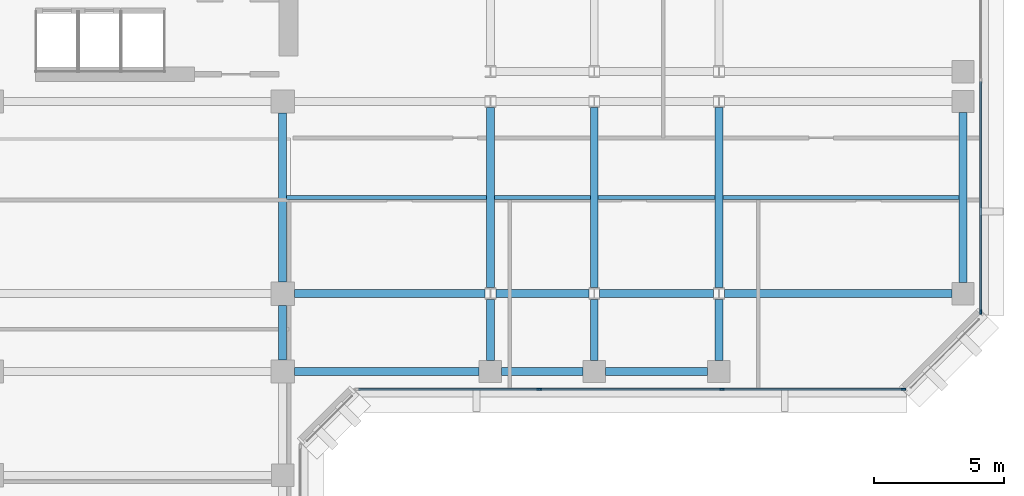
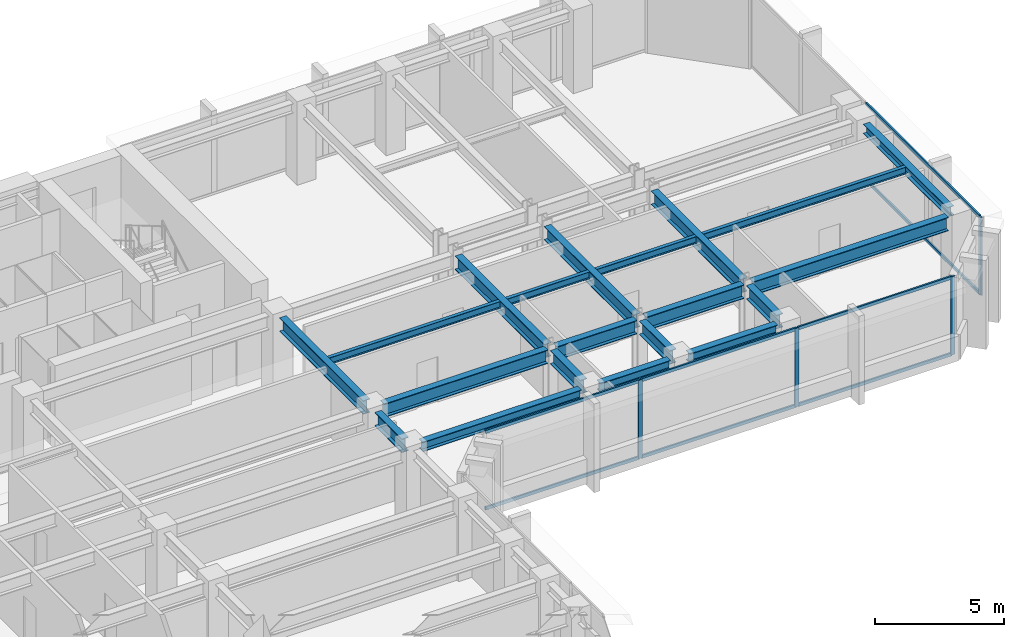
# One storey, part 3 of 11: 20 beams, 12 members, 2 elements without a shape of their own.
"""IFC4 building model written with IfcOpenShell, lengths in metres."""

from ifc_helpers import new_model, si_unit, direction, frame, origin, origin_2d, place, context, subcontext, project, spatial, rectangle, i_section, extrude, material, layer, layer_set, material_profile, profile_set, type_object, element, aggregate, save


model = new_model("IFC4")

# Units and contexts
model_context = context("Model", 3, precision=1e-05, world=origin(), true_north=direction((0.0, 1.0)))
body_context = subcontext(model_context, "Body", "Model", "MODEL_VIEW")
ifc_project = project(units=[si_unit("LENGTHUNIT", "METRE"), si_unit("AREAUNIT", "SQUARE_METRE"), si_unit("VOLUMEUNIT", "CUBIC_METRE"), si_unit("PLANEANGLEUNIT", "RADIAN"), si_unit("MASSUNIT", "GRAM", prefix="KILO")], contexts=[model_context])

# Site, building, storey
site_placement = place(None, origin())
site = spatial("IfcSite", under=ifc_project, at=site_placement, CompositionType="ELEMENT")
building_placement = place(site_placement, origin())
building = spatial("IfcBuilding", under=site, at=building_placement, Name="Kefirva Bronze Tower", CompositionType="ELEMENT")
storey_placement = place(building_placement, frame((0.0, 0.0, 146.85009765625)))
storey = spatial("IfcBuildingStorey", under=building, at=storey_placement, Name="L35", CompositionType="ELEMENT", Elevation=146.85009765625)

# Curtain wall, members
ifc_material_1 = material(Name="Bronze anodised aluminium", Category="aluminium")
ifc_layer = layer(ifc_material_1, 0.199951171875, Name="Bronze anodised aluminium")
ifc_layer_set = layer_set([ifc_layer], Name="Bronze anodised aluminium")
curtain_wall_type = type_object("IfcCurtainWallType", Name="Unitised Bronze Ribbon Curtain Wall Zone 2", PredefinedType="USERDEFINED", material=ifc_layer_set)
curtain_wall_1_placement = place(storey_placement, origin())
curtain_wall_1 = element("IfcCurtainWall", 1, at=curtain_wall_1_placement, inside=storey, type_object=curtain_wall_type, Name="L35 Curtain Wall 2", ObjectType="UNITISED CURTAIN WALL", PredefinedType="USERDEFINED")
ifc_material_profile_1 = material_profile(ifc_material_1, rectangle(XDim=0.074951171875, YDim=0.179931640625, at=origin_2d()), Name="ALU 75x180")
ifc_profile_set_1 = profile_set([ifc_material_profile_1], Name="Bronze anodised aluminium")
member_type_1 = type_object("IfcMemberType", Name="Bronze Mullion 75x180", PredefinedType="MULLION", material=ifc_profile_set_1)
member_1_placement = place(storey_placement, frame((33.0849609375, 22.1201171875, 0.0), z_axis=(0.0, 0.0, 1.0), x_axis=(0.0, 1.0, 0.0)))
member_1 = element("IfcMember", 2, at=member_1_placement, type_object=member_type_1, Name="CW-02 mullion 2", PredefinedType="MULLION", context=body_context, shape_type="SweptSolid", body=[
    extrude(rectangle(XDim=0.074951171875, YDim=0.179931640625, at=origin_2d()), origin(), (0.0, 0.0, 1.0), 3.7099609375),
])
member_2_placement = place(storey_placement, frame((40.114990234375, 22.1201171875, 0.0), z_axis=(0.0, 0.0, 1.0), x_axis=(0.0, 1.0, 0.0)))
member_2 = element("IfcMember", 3, at=member_2_placement, type_object=member_type_1, Name="CW-02 mullion 3", PredefinedType="MULLION", context=body_context, shape_type="SweptSolid", body=[
    extrude(rectangle(XDim=0.074951171875, YDim=0.179931640625, at=origin_2d()), origin(), (0.0, 0.0, 1.0), 3.7099609375),
])
member_3_placement = place(storey_placement, frame((47.107421875, 22.1201171875, 0.0), z_axis=(0.0, 0.0, 1.0), x_axis=(0.0, 1.0, 0.0)))
member_3 = element("IfcMember", 4, at=member_3_placement, type_object=member_type_1, Name="CW-02 mullion 4", PredefinedType="MULLION", context=body_context, shape_type="SweptSolid", body=[
    extrude(rectangle(XDim=0.074951171875, YDim=0.179931640625, at=origin_2d()), origin(), (0.0, 0.0, 1.0), 3.7099609375),
])

# Curtain wall, member
curtain_wall_2_placement = place(storey_placement, origin())
curtain_wall_2 = element("IfcCurtainWall", 5, at=curtain_wall_2_placement, inside=storey, type_object=curtain_wall_type, Name="L35 Curtain Wall 3", ObjectType="UNITISED CURTAIN WALL", PredefinedType="USERDEFINED")
member_4_placement = place(storey_placement, frame((50.080078125, 25.092529296875, 0.0), z_axis=(0.0, 0.0, 1.0), x_axis=(-1.0, 0.0, 0.0)))
member_4 = element("IfcMember", 6, at=member_4_placement, type_object=member_type_1, Name="CW-02 mullion 1", PredefinedType="MULLION", context=body_context, shape_type="SweptSolid", body=[
    extrude(rectangle(XDim=0.074951171875, YDim=0.179931640625, at=origin_2d()), origin(), (0.0, 0.0, 1.0), 3.7099609375),
])

# Member
ifc_material_profile_2 = material_profile(ifc_material_1, rectangle(XDim=0.074951171875, YDim=0.14990234375, at=origin_2d()), Name="ALU 75x150")
ifc_profile_set_2 = profile_set([ifc_material_profile_2], Name="Bronze anodised aluminium")
member_type_2 = type_object("IfcMemberType", Name="Bronze Transom 75x150", PredefinedType="USERDEFINED", material=ifc_profile_set_2)
member_5_placement = place(storey_placement, frame((26.1298828125, 22.1201171875, 0.037353515625), z_axis=(1.0, 0.0, 0.0), x_axis=(0.0, 1.0, 0.0)))
member_5 = element("IfcMember", 7, at=member_5_placement, type_object=member_type_2, Name="CW-02 transom 1.1", ObjectType="TRANSOM", PredefinedType="USERDEFINED", context=body_context, shape_type="SweptSolid", body=[
    extrude(rectangle(XDim=0.074951171875, YDim=0.14990234375, at=origin_2d()), origin(), (0.0, 0.0, 1.0), 6.917724609375),
])

member_6_placement = place(storey_placement, frame((26.1298828125, 22.1201171875, 3.67236328125), z_axis=(1.0, 0.0, 0.0), x_axis=(0.0, 1.0, 0.0)))
member_6 = element("IfcMember", 8, at=member_6_placement, type_object=member_type_2, Name="CW-02 transom 1.2", ObjectType="TRANSOM", PredefinedType="USERDEFINED", context=body_context, shape_type="SweptSolid", body=[
    extrude(rectangle(XDim=0.074951171875, YDim=0.14990234375, at=origin_2d()), origin(), (0.0, 0.0, 1.0), 6.917724609375),
])

member_7_placement = place(storey_placement, frame((33.12255859375, 22.1201171875, 0.037353515625), z_axis=(1.0, 0.0, 0.0), x_axis=(0.0, 1.0, 0.0)))
member_7 = element("IfcMember", 9, at=member_7_placement, type_object=member_type_2, Name="CW-02 transom 2.1", ObjectType="TRANSOM", PredefinedType="USERDEFINED", context=body_context, shape_type="SweptSolid", body=[
    extrude(rectangle(XDim=0.074951171875, YDim=0.14990234375, at=origin_2d()), origin(), (0.0, 0.0, 1.0), 6.954833984375),
])

member_8_placement = place(storey_placement, frame((33.12255859375, 22.1201171875, 3.67236328125), z_axis=(1.0, 0.0, 0.0), x_axis=(0.0, 1.0, 0.0)))
member_8 = element("IfcMember", 10, at=member_8_placement, type_object=member_type_2, Name="CW-02 transom 2.2", ObjectType="TRANSOM", PredefinedType="USERDEFINED", context=body_context, shape_type="SweptSolid", body=[
    extrude(rectangle(XDim=0.074951171875, YDim=0.14990234375, at=origin_2d()), origin(), (0.0, 0.0, 1.0), 6.954833984375),
])

member_9_placement = place(storey_placement, frame((40.152587890625, 22.1201171875, 0.037353515625), z_axis=(1.0, 0.0, 0.0), x_axis=(0.0, 1.0, 0.0)))
member_9 = element("IfcMember", 11, at=member_9_placement, type_object=member_type_2, Name="CW-02 transom 3.1", ObjectType="TRANSOM", PredefinedType="USERDEFINED", context=body_context, shape_type="SweptSolid", body=[
    extrude(rectangle(XDim=0.074951171875, YDim=0.14990234375, at=origin_2d()), origin(), (0.0, 0.0, 1.0), 6.91748046875),
])

member_10_placement = place(storey_placement, frame((40.152587890625, 22.1201171875, 3.67236328125), z_axis=(1.0, 0.0, 0.0), x_axis=(0.0, 1.0, 0.0)))
member_10 = element("IfcMember", 12, at=member_10_placement, type_object=member_type_2, Name="CW-02 transom 3.2", ObjectType="TRANSOM", PredefinedType="USERDEFINED", context=body_context, shape_type="SweptSolid", body=[
    extrude(rectangle(XDim=0.074951171875, YDim=0.14990234375, at=origin_2d()), origin(), (0.0, 0.0, 1.0), 6.91748046875),
])

aggregate(curtain_wall_1, [member_1, member_2, member_3, member_5, member_6, member_7, member_8, member_9, member_10])

member_11_placement = place(storey_placement, frame((50.080078125, 25.1298828125, 0.037353515625), z_axis=(0.0, 1.0, 0.0), x_axis=(-1.0, 0.0, 0.0)))
member_11 = element("IfcMember", 13, at=member_11_placement, type_object=member_type_2, Name="CW-02 transom 1.1", ObjectType="TRANSOM", PredefinedType="USERDEFINED", context=body_context, shape_type="SweptSolid", body=[
    extrude(rectangle(XDim=0.074951171875, YDim=0.14990234375, at=origin_2d()), origin(), (0.0, 0.0, 1.0), 8.83251953125),
])

member_12_placement = place(storey_placement, frame((50.080078125, 25.1298828125, 3.67236328125), z_axis=(0.0, 1.0, 0.0), x_axis=(-1.0, 0.0, 0.0)))
member_12 = element("IfcMember", 14, at=member_12_placement, type_object=member_type_2, Name="CW-02 transom 1.2", ObjectType="TRANSOM", PredefinedType="USERDEFINED", context=body_context, shape_type="SweptSolid", body=[
    extrude(rectangle(XDim=0.074951171875, YDim=0.14990234375, at=origin_2d()), origin(), (0.0, 0.0, 1.0), 8.83251953125),
])

aggregate(curtain_wall_2, [member_4, member_11, member_12])

# Beams
ifc_material_2 = material(Name="Steel S355", Category="steel")
ifc_material_profile_3 = material_profile(ifc_material_2, i_section(OverallWidth=0.159912109375, OverallDepth=0.330078125, WebThickness=0.007568359375, FlangeThickness=0.011474609375, at=origin_2d()), Name="IPE 330")
ifc_profile_set_3 = profile_set([ifc_material_profile_3], Name="Steel S355")
beam_type_1 = type_object("IfcBeamType", Name="Steel Floor Joist IPE 330", PredefinedType="JOIST", material=ifc_profile_set_3)
beam_1_placement = place(storey_placement, frame((23.35009765625, 29.5, 3.544921875), z_axis=(1.0, 0.0, 0.0), x_axis=(0.0, 1.0, 0.0)))
element("IfcBeam", 15, at=beam_1_placement, inside=storey, type_object=beam_type_1, Name="L35 JST-L35-23-295", PredefinedType="JOIST", context=body_context, shape_type="SweptSolid", body=[
    extrude(i_section(OverallWidth=0.159912109375, OverallDepth=0.330078125, WebThickness=0.007568359375, FlangeThickness=0.011474609375, at=origin_2d()), origin(), (0.0, 0.0, 1.0), 7.699951171875),
])
beam_2_placement = place(storey_placement, frame((31.35009765625, 29.5, 3.544921875), z_axis=(1.0, 0.0, 0.0), x_axis=(0.0, 1.0, 0.0)))
element("IfcBeam", 16, at=beam_2_placement, inside=storey, type_object=beam_type_1, Name="L35 JST-L35-31-295", PredefinedType="JOIST", context=body_context, shape_type="SweptSolid", body=[
    extrude(i_section(OverallWidth=0.159912109375, OverallDepth=0.330078125, WebThickness=0.007568359375, FlangeThickness=0.011474609375, at=origin_2d()), origin(), (0.0, 0.0, 1.0), 3.699951171875),
])
beam_3_placement = place(storey_placement, frame((35.35009765625, 29.5, 3.544921875), z_axis=(1.0, 0.0, 0.0), x_axis=(0.0, 1.0, 0.0)))
element("IfcBeam", 17, at=beam_3_placement, inside=storey, type_object=beam_type_1, Name="L35 JST-L35-35-295", PredefinedType="JOIST", context=body_context, shape_type="SweptSolid", body=[
    extrude(i_section(OverallWidth=0.159912109375, OverallDepth=0.330078125, WebThickness=0.007568359375, FlangeThickness=0.011474609375, at=origin_2d()), origin(), (0.0, 0.0, 1.0), 4.5),
])
beam_4_placement = place(storey_placement, frame((40.14990234375, 29.5, 3.544921875), z_axis=(1.0, 0.0, 0.0), x_axis=(0.0, 1.0, 0.0)))
element("IfcBeam", 18, at=beam_4_placement, inside=storey, type_object=beam_type_1, Name="L35 JST-L35-40-295", PredefinedType="JOIST", context=body_context, shape_type="SweptSolid", body=[
    extrude(i_section(OverallWidth=0.159912109375, OverallDepth=0.330078125, WebThickness=0.007568359375, FlangeThickness=0.011474609375, at=origin_2d()), origin(), (0.0, 0.0, 1.0), 9.10009765625),
])
ifc_material_profile_4 = material_profile(ifc_material_2, i_section(OverallWidth=0.300048828125, OverallDepth=0.64990234375, WebThickness=0.01611328125, FlangeThickness=0.031005859375, at=origin_2d()), Name="HEB 650")
ifc_profile_set_4 = profile_set([ifc_material_profile_4], Name="Steel S355")
beam_type_2 = type_object("IfcBeamType", Name="Steel Girder HEB 650", PredefinedType="USERDEFINED", material=ifc_profile_set_4)
beam_5_placement = place(storey_placement, frame((23.64990234375, 25.800048828125, 3.385009765625), z_axis=(1.0, 0.0, 0.0), x_axis=(0.0, 1.0, 0.0)))
element("IfcBeam", 19, at=beam_5_placement, inside=storey, type_object=beam_type_2, Name="L35 BM-L35-EW-23-258", ObjectType="GIRDER", PredefinedType="USERDEFINED", context=body_context, shape_type="SweptSolid", body=[
    extrude(i_section(OverallWidth=0.300048828125, OverallDepth=0.64990234375, WebThickness=0.01611328125, FlangeThickness=0.031005859375, at=origin_2d()), origin(), (0.0, 0.0, 1.0), 7.341064453125),
])
beam_6_placement = place(storey_placement, frame((31.408935546875, 25.800048828125, 3.385009765625), z_axis=(1.0, 0.0, 0.0), x_axis=(0.0, 1.0, 0.0)))
element("IfcBeam", 20, at=beam_6_placement, inside=storey, type_object=beam_type_2, Name="L35 BM-L35-EW-31-258", ObjectType="GIRDER", PredefinedType="USERDEFINED", context=body_context, shape_type="SweptSolid", body=[
    extrude(i_section(OverallWidth=0.300048828125, OverallDepth=0.64990234375, WebThickness=0.01611328125, FlangeThickness=0.031005859375, at=origin_2d()), origin(), (0.0, 0.0, 1.0), 3.58203125),
])
beam_7_placement = place(storey_placement, frame((35.408935546875, 25.800048828125, 3.385009765625), z_axis=(1.0, 0.0, 0.0), x_axis=(0.0, 1.0, 0.0)))
element("IfcBeam", 21, at=beam_7_placement, inside=storey, type_object=beam_type_2, Name="L35 BM-L35-EW-35-258", ObjectType="GIRDER", PredefinedType="USERDEFINED", context=body_context, shape_type="SweptSolid", body=[
    extrude(i_section(OverallWidth=0.300048828125, OverallDepth=0.64990234375, WebThickness=0.01611328125, FlangeThickness=0.031005859375, at=origin_2d()), origin(), (0.0, 0.0, 1.0), 4.382080078125),
])
beam_8_placement = place(storey_placement, frame((40.208984375, 25.800048828125, 3.385009765625), z_axis=(1.0, 0.0, 0.0), x_axis=(0.0, 1.0, 0.0)))
element("IfcBeam", 22, at=beam_8_placement, inside=storey, type_object=beam_type_2, Name="L35 BM-L35-EW-40-258", ObjectType="GIRDER", PredefinedType="USERDEFINED", context=body_context, shape_type="SweptSolid", body=[
    extrude(i_section(OverallWidth=0.300048828125, OverallDepth=0.64990234375, WebThickness=0.01611328125, FlangeThickness=0.031005859375, at=origin_2d()), origin(), (0.0, 0.0, 1.0), 8.760986328125),
])
beam_9_placement = place(storey_placement, frame((23.199951171875, 23.25, 3.385009765625), z_axis=(0.0, 1.0, 0.0), x_axis=(-1.0, 0.0, 0.0)))
element("IfcBeam", 23, at=beam_9_placement, inside=storey, type_object=beam_type_2, Name="L35 BM-L35-NS-232-22", ObjectType="GIRDER", PredefinedType="USERDEFINED", context=body_context, shape_type="SweptSolid", body=[
    extrude(i_section(OverallWidth=0.300048828125, OverallDepth=0.64990234375, WebThickness=0.01611328125, FlangeThickness=0.031005859375, at=origin_2d()), origin(), (0.0, 0.0, 1.0), 2.10009765625),
])
beam_10_placement = place(storey_placement, frame((23.199951171875, 26.25, 3.385009765625), z_axis=(0.0, 1.0, 0.0), x_axis=(-1.0, 0.0, 0.0)))
element("IfcBeam", 24, at=beam_10_placement, inside=storey, type_object=beam_type_2, Name="L35 BM-L35-NS-232-25", ObjectType="GIRDER", PredefinedType="USERDEFINED", context=body_context, shape_type="SweptSolid", body=[
    extrude(i_section(OverallWidth=0.300048828125, OverallDepth=0.64990234375, WebThickness=0.01611328125, FlangeThickness=0.031005859375, at=origin_2d()), origin(), (0.0, 0.0, 1.0), 6.5),
])
beam_11_placement = place(storey_placement, frame((31.199951171875, 23.22998046875, 3.385009765625), z_axis=(0.0, 1.0, 0.0), x_axis=(-1.0, 0.0, 0.0)))
element("IfcBeam", 25, at=beam_11_placement, inside=storey, type_object=beam_type_2, Name="L35 BM-L35-NS-312-22", ObjectType="GIRDER", PredefinedType="USERDEFINED", context=body_context, shape_type="SweptSolid", body=[
    extrude(i_section(OverallWidth=0.300048828125, OverallDepth=0.64990234375, WebThickness=0.01611328125, FlangeThickness=0.031005859375, at=origin_2d()), origin(), (0.0, 0.0, 1.0), 2.342529296875),
])
beam_12_placement = place(storey_placement, frame((31.199951171875, 26.027587890625, 3.385009765625), z_axis=(0.0, 1.0, 0.0), x_axis=(-1.0, 0.0, 0.0)))
element("IfcBeam", 26, at=beam_12_placement, inside=storey, type_object=beam_type_2, Name="L35 BM-L35-NS-312-25", ObjectType="GIRDER", PredefinedType="USERDEFINED", context=body_context, shape_type="SweptSolid", body=[
    extrude(i_section(OverallWidth=0.300048828125, OverallDepth=0.64990234375, WebThickness=0.01611328125, FlangeThickness=0.031005859375, at=origin_2d()), origin(), (0.0, 0.0, 1.0), 6.94482421875),
])
beam_13_placement = place(storey_placement, frame((35.199951171875, 23.22998046875, 3.385009765625), z_axis=(0.0, 1.0, 0.0), x_axis=(-1.0, 0.0, 0.0)))
element("IfcBeam", 27, at=beam_13_placement, inside=storey, type_object=beam_type_2, Name="L35 BM-L35-NS-352-22", ObjectType="GIRDER", PredefinedType="USERDEFINED", context=body_context, shape_type="SweptSolid", body=[
    extrude(i_section(OverallWidth=0.300048828125, OverallDepth=0.64990234375, WebThickness=0.01611328125, FlangeThickness=0.031005859375, at=origin_2d()), origin(), (0.0, 0.0, 1.0), 2.342529296875),
])
beam_14_placement = place(storey_placement, frame((35.199951171875, 26.027587890625, 3.385009765625), z_axis=(0.0, 1.0, 0.0), x_axis=(-1.0, 0.0, 0.0)))
element("IfcBeam", 28, at=beam_14_placement, inside=storey, type_object=beam_type_2, Name="L35 BM-L35-NS-352-25", ObjectType="GIRDER", PredefinedType="USERDEFINED", context=body_context, shape_type="SweptSolid", body=[
    extrude(i_section(OverallWidth=0.300048828125, OverallDepth=0.64990234375, WebThickness=0.01611328125, FlangeThickness=0.031005859375, at=origin_2d()), origin(), (0.0, 0.0, 1.0), 6.94482421875),
])
beam_15_placement = place(storey_placement, frame((40.0, 23.22998046875, 3.385009765625), z_axis=(0.0, 1.0, 0.0), x_axis=(-1.0, 0.0, 0.0)))
element("IfcBeam", 29, at=beam_15_placement, inside=storey, type_object=beam_type_2, Name="L35 BM-L35-NS-400-22", ObjectType="GIRDER", PredefinedType="USERDEFINED", context=body_context, shape_type="SweptSolid", body=[
    extrude(i_section(OverallWidth=0.300048828125, OverallDepth=0.64990234375, WebThickness=0.01611328125, FlangeThickness=0.031005859375, at=origin_2d()), origin(), (0.0, 0.0, 1.0), 2.342529296875),
])
beam_16_placement = place(storey_placement, frame((40.0, 26.027587890625, 3.385009765625), z_axis=(0.0, 1.0, 0.0), x_axis=(-1.0, 0.0, 0.0)))
element("IfcBeam", 30, at=beam_16_placement, inside=storey, type_object=beam_type_2, Name="L35 BM-L35-NS-400-25", ObjectType="GIRDER", PredefinedType="USERDEFINED", context=body_context, shape_type="SweptSolid", body=[
    extrude(i_section(OverallWidth=0.300048828125, OverallDepth=0.64990234375, WebThickness=0.01611328125, FlangeThickness=0.031005859375, at=origin_2d()), origin(), (0.0, 0.0, 1.0), 6.94482421875),
])
ifc_material_profile_5 = material_profile(ifc_material_2, i_section(OverallWidth=0.300048828125, OverallDepth=0.449951171875, WebThickness=0.013916015625, FlangeThickness=0.02587890625, at=origin_2d()), Name="HEB 450")
ifc_profile_set_5 = profile_set([ifc_material_profile_5], Name="Steel S355")
beam_type_3 = type_object("IfcBeamType", Name="Steel Spandrel HEB 450 Ext", PredefinedType="SPANDREL", material=ifc_profile_set_5)
beam_17_placement = place(storey_placement, frame((23.64990234375, 22.800048828125, 3.48486328125), z_axis=(1.0, 0.0, 0.0), x_axis=(0.0, 1.0, 0.0)))
element("IfcBeam", 31, at=beam_17_placement, inside=storey, type_object=beam_type_3, Name="L35 BM-L35-EW-23-228", PredefinedType="SPANDREL", context=body_context, shape_type="SweptSolid", body=[
    extrude(i_section(OverallWidth=0.300048828125, OverallDepth=0.449951171875, WebThickness=0.013916015625, FlangeThickness=0.02587890625, at=origin_2d()), origin(), (0.0, 0.0, 1.0), 7.1201171875),
])
beam_18_placement = place(storey_placement, frame((31.6298828125, 22.800048828125, 3.48486328125), z_axis=(1.0, 0.0, 0.0), x_axis=(0.0, 1.0, 0.0)))
element("IfcBeam", 32, at=beam_18_placement, inside=storey, type_object=beam_type_3, Name="L35 BM-L35-EW-31-228", PredefinedType="SPANDREL", context=body_context, shape_type="SweptSolid", body=[
    extrude(i_section(OverallWidth=0.300048828125, OverallDepth=0.449951171875, WebThickness=0.013916015625, FlangeThickness=0.02587890625, at=origin_2d()), origin(), (0.0, 0.0, 1.0), 3.14013671875),
])
beam_19_placement = place(storey_placement, frame((35.6298828125, 22.800048828125, 3.48486328125), z_axis=(1.0, 0.0, 0.0), x_axis=(0.0, 1.0, 0.0)))
element("IfcBeam", 33, at=beam_19_placement, inside=storey, type_object=beam_type_3, Name="L35 BM-L35-EW-35-228", PredefinedType="SPANDREL", context=body_context, shape_type="SweptSolid", body=[
    extrude(i_section(OverallWidth=0.300048828125, OverallDepth=0.449951171875, WebThickness=0.013916015625, FlangeThickness=0.02587890625, at=origin_2d()), origin(), (0.0, 0.0, 1.0), 3.940185546875),
])
beam_20_placement = place(storey_placement, frame((49.39990234375, 26.22998046875, 3.48486328125), z_axis=(0.0, 1.0, 0.0), x_axis=(-1.0, 0.0, 0.0)))
element("IfcBeam", 34, at=beam_20_placement, inside=storey, type_object=beam_type_3, Name="L35 BM-L35-NS-494-25", PredefinedType="SPANDREL", context=body_context, shape_type="SweptSolid", body=[
    extrude(i_section(OverallWidth=0.300048828125, OverallDepth=0.449951171875, WebThickness=0.013916015625, FlangeThickness=0.02587890625, at=origin_2d()), origin(), (0.0, 0.0, 1.0), 6.5400390625),
])

save(model, "model.ifc")
